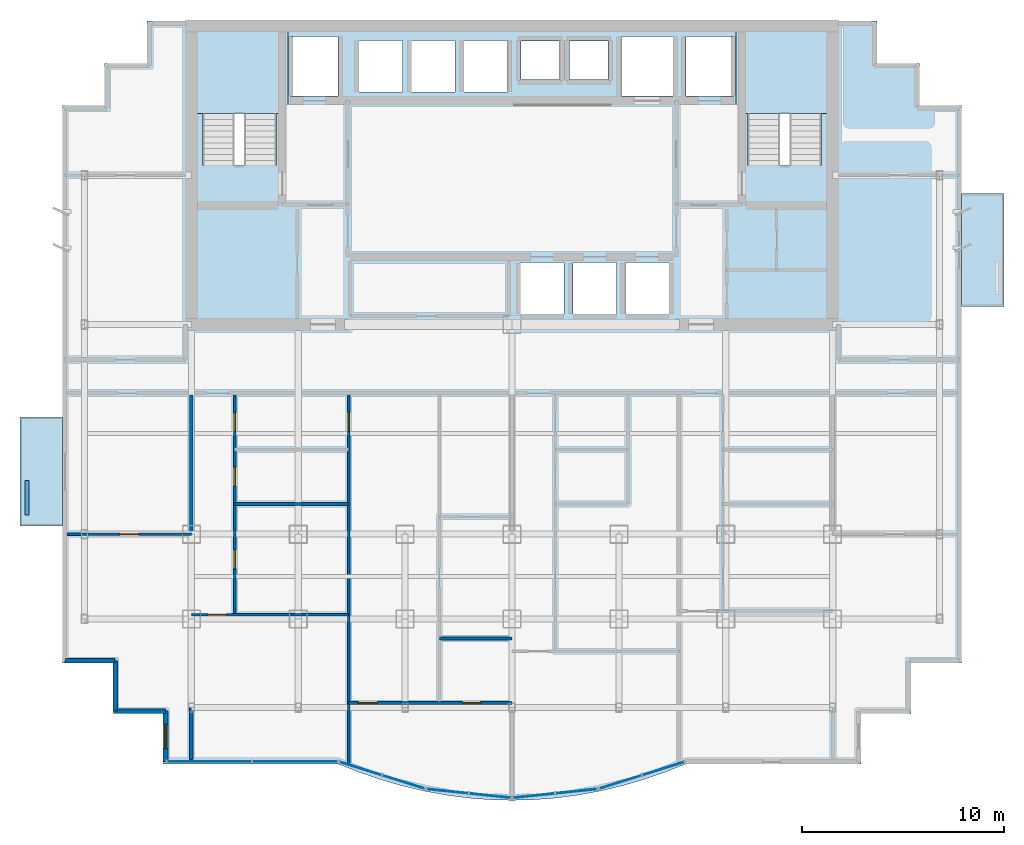
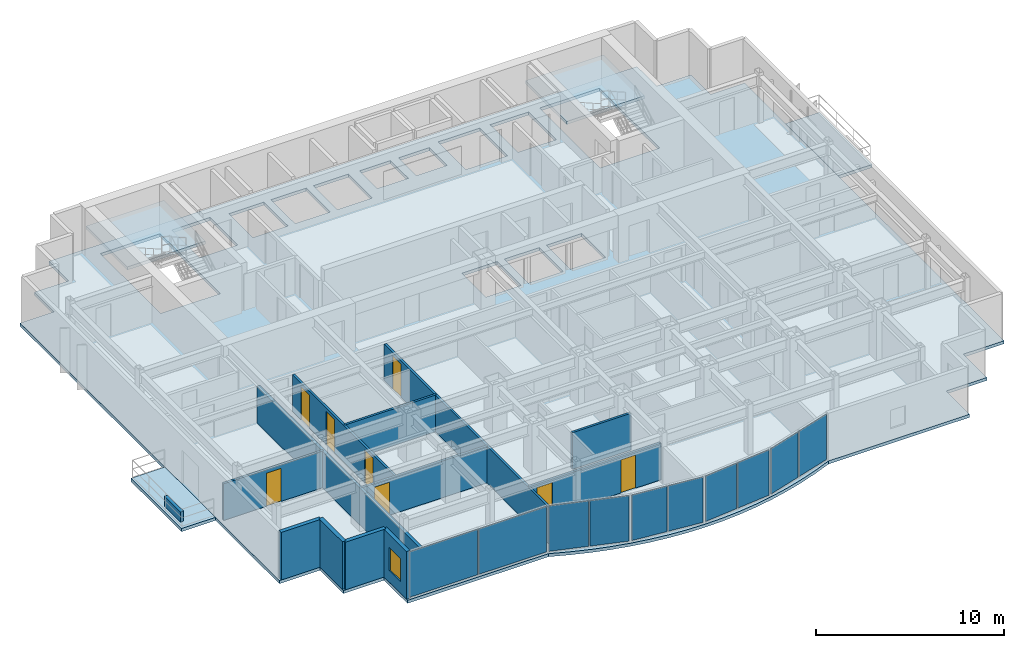
# One storey, part 5 of 11: 13 walls, 10 plates, 8 doors, 5 slabs, 1 window, 9 openings, 7 elements without a shape of their own.
"""IFC4 building model written with IfcOpenShell, lengths in metres."""

from ifc_helpers import new_model, si_unit, direction, frame, frame_2d, origin, origin_2d, place, context, subcontext, project, spatial, polyline, rectangle, outline, extrude, source, transform, mapped, material, layer, layer_set, type_object, element, fill, aggregate, save


model = new_model("IFC4")

# Units and contexts
model_context = context("Model", 3, precision=1e-05, world=origin(), true_north=direction((0.0, 1.0)))
body_context = subcontext(model_context, "Body", "Model", "MODEL_VIEW")
ifc_project = project(units=[si_unit("LENGTHUNIT", "METRE"), si_unit("AREAUNIT", "SQUARE_METRE"), si_unit("VOLUMEUNIT", "CUBIC_METRE"), si_unit("PLANEANGLEUNIT", "RADIAN"), si_unit("MASSUNIT", "GRAM", prefix="KILO")], contexts=[model_context])

# Site, building, storey
site_placement = place(None, origin())
site = spatial("IfcSite", under=ifc_project, at=site_placement, CompositionType="ELEMENT")
building_placement = place(site_placement, origin())
building = spatial("IfcBuilding", under=site, at=building_placement, Name="Qianlan Lanfeng Residences", CompositionType="ELEMENT")
storey_placement = place(building_placement, frame((0.0, 0.0, 155.699951171875)))
storey = spatial("IfcBuildingStorey", under=building, at=storey_placement, Name="L42", CompositionType="ELEMENT", Elevation=155.699951171875)

# Slabs
ifc_material_1 = material(Name="Concrete C42", Category="concrete")
ifc_layer_1 = layer(ifc_material_1, 0.199951171875)
ifc_layer_set_1 = layer_set([ifc_layer_1], Name="Concrete C42")
slab_type_1 = type_object("IfcSlabType", Name="S-BAL-200", PredefinedType="FLOOR", material=ifc_layer_set_1)
slab_1_placement = place(storey_placement, frame((0.0, 0.0, -0.199951171875)))
element("IfcSlab", 1, at=slab_1_placement, inside=storey, type_object=slab_type_1, Name="L42 Planted Tree Balcony Slab WB-S", PredefinedType="FLOOR", context=body_context, shape_type="SweptSolid", body=[
    extrude(outline(polyline([(4.199951171875, 15.199951171875), (4.199951171875, 20.60009765625), (2.10009765625, 20.60009765625), (2.10009765625, 15.199951171875), (4.199951171875, 15.199951171875)])), origin(), (0.0, 0.0, 1.0), 0.199951171875),
])
slab_2_placement = place(storey_placement, frame((0.0, 0.0, -0.199951171875)))
element("IfcSlab", 2, at=slab_2_placement, inside=storey, type_object=slab_type_1, Name="L42 Planted Tree Balcony Slab EB-N", PredefinedType="FLOOR", context=body_context, shape_type="SweptSolid", body=[
    extrude(outline(polyline([(48.800048828125, 31.699951171875), (48.800048828125, 26.10009765625), (50.89990234375, 26.10009765625), (50.89990234375, 31.699951171875), (48.800048828125, 31.699951171875)])), origin(), (0.0, 0.0, 1.0), 0.199951171875),
])
ifc_layer_2 = layer(ifc_material_1, 0.199951171875)
ifc_layer_set_2 = layer_set([ifc_layer_2], Name="Concrete C42")
slab_type_2 = type_object("IfcSlabType", Name="S-FL-200", PredefinedType="FLOOR", material=ifc_layer_set_2)
slab_3_placement = place(storey_placement, frame((0.0, 0.0, -0.199951171875)))
element("IfcSlab", 3, at=slab_3_placement, inside=storey, type_object=slab_type_2, Name="L42 Structural Floor Slab", PredefinedType="FLOOR", context=body_context, shape_type="SweptSolid", body=[
    extrude(outline(polyline([(4.199951171875, 8.39990234375), (6.699951171875, 8.39990234375), (6.699951171875, 5.89990234375), (9.199951171875, 5.89990234375), (9.199951171875, 3.39990234375), (17.8798828125, 3.39990234375), (18.95703125, 2.97802734375), (20.034912109375, 2.612060546875), (21.112060546875, 2.302978515625), (22.18994140625, 2.050048828125), (23.26708984375, 1.85302734375), (24.344970703125, 1.712890625), (25.422119140625, 1.6279296875), (26.5, 1.60009765625), (27.577880859375, 1.6279296875), (28.655029296875, 1.7119140625), (29.73193359375, 1.85302734375), (30.81005859375, 2.050048828125), (31.886962890625, 2.302978515625), (32.965087890625, 2.612060546875), (34.0419921875, 2.97802734375), (35.1201171875, 3.39990234375), (43.800048828125, 3.39990234375), (43.800048828125, 5.89990234375), (46.300048828125, 5.89990234375), (46.300048828125, 8.39990234375), (48.800048828125, 8.39990234375), (48.800048828125, 36.050048828125), (46.699951171875, 36.050048828125), (46.699951171875, 38.14990234375), (44.60009765625, 38.14990234375), (44.60009765625, 40.25), (8.39990234375, 40.25), (8.39990234375, 38.14990234375), (6.300048828125, 38.14990234375), (6.300048828125, 36.050048828125), (4.199951171875, 36.050048828125), (4.199951171875, 8.39990234375)]), holes=[polyline([(11.139892578125, 33.080078125), (11.139892578125, 39.5), (14.820068359375, 39.5), (14.820068359375, 33.080078125), (11.139892578125, 33.080078125)]), polyline([(38.179931640625, 33.080078125), (38.179931640625, 39.5), (41.860107421875, 39.5), (41.860107421875, 33.080078125), (38.179931640625, 33.080078125)]), polyline([(15.52001953125, 36.52001953125), (15.52001953125, 39.47998046875), (17.8798828125, 39.47998046875), (17.8798828125, 36.52001953125), (15.52001953125, 36.52001953125)]), polyline([(35.1201171875, 36.52001953125), (35.1201171875, 39.47998046875), (37.47998046875, 39.47998046875), (37.47998046875, 36.52001953125), (35.1201171875, 36.52001953125)]), polyline([(31.919921875, 36.52001953125), (31.919921875, 39.47998046875), (34.47998046875, 39.47998046875), (34.47998046875, 36.52001953125), (31.919921875, 36.52001953125)]), polyline([(26.919921875, 25.719970703125), (26.919921875, 28.280029296875), (29.080078125, 28.280029296875), (29.080078125, 25.719970703125), (26.919921875, 25.719970703125)]), polyline([(29.52001953125, 25.719970703125), (29.52001953125, 28.280029296875), (31.679931640625, 28.280029296875), (31.679931640625, 25.719970703125), (29.52001953125, 25.719970703125)]), polyline([(32.1201171875, 25.719970703125), (32.1201171875, 28.280029296875), (34.280029296875, 28.280029296875), (34.280029296875, 25.719970703125), (32.1201171875, 25.719970703125)]), polyline([(18.919921875, 36.719970703125), (18.919921875, 39.280029296875), (21.080078125, 39.280029296875), (21.080078125, 36.719970703125), (18.919921875, 36.719970703125)]), polyline([(21.52001953125, 36.719970703125), (21.52001953125, 39.280029296875), (23.679931640625, 39.280029296875), (23.679931640625, 36.719970703125), (21.52001953125, 36.719970703125)]), polyline([(24.1201171875, 36.719970703125), (24.1201171875, 39.280029296875), (26.280029296875, 39.280029296875), (26.280029296875, 36.719970703125), (24.1201171875, 36.719970703125)]), polyline([(26.949951171875, 37.35009765625), (26.949951171875, 39.25), (28.85009765625, 39.25), (28.85009765625, 37.35009765625), (26.949951171875, 37.35009765625)]), polyline([(29.35009765625, 37.35009765625), (29.35009765625, 39.25), (31.25, 39.25), (31.25, 37.35009765625), (29.35009765625, 37.35009765625)])]), origin(), (0.0, 0.0, 1.0), 0.199951171875),
])

# Stair, slab
stair_type = type_object("IfcStairType", Name="STR-MAIN", PredefinedType="HALF_TURN_STAIR", material=ifc_material_1)
stair_1_placement = place(storey_placement, origin())
stair_1 = element("IfcStair", 4, at=stair_1_placement, inside=storey, type_object=stair_type, Name="L42 Exit Stair ST-1", PredefinedType="HALF_TURN_STAIR")
ifc_layer_3 = layer(ifc_material_1, 0.179931640625)
ifc_layer_set_3 = layer_set([ifc_layer_3], Name="Concrete C42")
slab_type_3 = type_object("IfcSlabType", Name="S-LND-180", PredefinedType="LANDING", material=ifc_layer_set_3)
slab_4_placement = place(storey_placement, frame((0.0, 0.0, 1.449951171875)))
slab_4 = element("IfcSlab", 5, at=slab_4_placement, type_object=slab_type_3, Name="ST-1 landing 1", PredefinedType="LANDING", context=body_context, shape_type="SweptSolid", body=[
    extrude(outline(polyline([(10.580078125, 35.659912109375), (15.3798828125, 35.659912109375), (15.3798828125, 40.050048828125), (10.580078125, 40.050048828125), (10.580078125, 35.659912109375)])), origin(), (0.0, 0.0, 1.0), 0.2001953125),
])
aggregate(stair_1, [slab_4])

stair_2_placement = place(storey_placement, origin())
stair_2 = element("IfcStair", 6, at=stair_2_placement, inside=storey, type_object=stair_type, Name="L42 Exit Stair ST-2", PredefinedType="HALF_TURN_STAIR")
slab_5_placement = place(storey_placement, frame((0.0, 0.0, 1.449951171875)))
slab_5 = element("IfcSlab", 7, at=slab_5_placement, type_object=slab_type_3, Name="ST-2 landing 1", PredefinedType="LANDING", context=body_context, shape_type="SweptSolid", body=[
    extrude(outline(polyline([(37.6201171875, 35.659912109375), (42.419921875, 35.659912109375), (42.419921875, 40.050048828125), (37.6201171875, 40.050048828125), (37.6201171875, 35.659912109375)])), origin(), (0.0, 0.0, 1.0), 0.2001953125),
])
aggregate(stair_2, [slab_5])

# Curtain wall, plates
ifc_material_2 = material(Name="Anodised Bronze Aluminium 6063-T6", Category="aluminium")
ifc_layer_4 = layer(ifc_material_2, 0.219970703125)
ifc_layer_set_4 = layer_set([ifc_layer_4], Name="Anodised Bronze Aluminium 6063-T6")
curtain_wall_type = type_object("IfcCurtainWallType", Name="CW-04", PredefinedType="NOTDEFINED", material=ifc_layer_set_4)
curtain_wall_1_placement = place(storey_placement, origin())
curtain_wall_1 = element("IfcCurtainWall", 8, at=curtain_wall_1_placement, inside=storey, type_object=curtain_wall_type, Name="L42 Unitised Curtain Wall CWR-L42-01 (CW-04)", PredefinedType="NOTDEFINED")
ifc_material_3 = material(Name="Clear Low-E Insulated Glass", Category="glass")
ifc_layer_5 = layer(ifc_material_3, 0.035888671875)
ifc_layer_set_5 = layer_set([ifc_layer_5], Name="Clear Low-E Insulated Glass")
plate_type_1 = type_object("IfcPlateType", Name="PNL-GLZ-CLR", PredefinedType="CURTAIN_PANEL", material=ifc_layer_set_5)
shared_shape_1 = source(origin(), body_context, "Body", "SweptSolid", [
    extrude(rectangle(XDim=4.180908203125, YDim=0.035888671875, at=origin_2d()), origin(), (0.0, 0.0, 1.0), 2.951904296875),
])
plate_1_placement = place(storey_placement, frame((11.484619140625, 3.52001953125, 0.07421875), z_axis=(0.0, 0.0, 1.0), x_axis=(1.0, 0.0, 0.0)))
plate_1 = element("IfcPlate", 9, at=plate_1_placement, type_object=plate_type_1, Name="CWR-L42-01 Curtain Panel 1", PredefinedType="CURTAIN_PANEL", context=body_context, shape_type="MappedRepresentation", body=[
    mapped(shared_shape_1, transform((0.0, 0.0, 0.0), scale=1.0)),
])
plate_2_placement = place(storey_placement, frame((15.738525390625, 3.52001953125, 0.07421875), z_axis=(0.0, 0.0, 1.0), x_axis=(1.0, 0.0, 0.0)))
plate_2 = element("IfcPlate", 10, at=plate_2_placement, type_object=plate_type_1, Name="CWR-L42-01 Curtain Panel 2", PredefinedType="CURTAIN_PANEL", context=body_context, shape_type="MappedRepresentation", body=[
    mapped(shared_shape_1, transform((0.0, 0.0, 0.0), scale=1.0)),
])
aggregate(curtain_wall_1, [plate_1, plate_2])

curtain_wall_2_placement = place(storey_placement, origin())
curtain_wall_2 = element("IfcCurtainWall", 11, at=curtain_wall_2_placement, inside=storey, type_object=curtain_wall_type, Name="L42 Unitised Curtain Wall CWR-L42-03 (CW-04)", PredefinedType="NOTDEFINED")
shared_shape_2 = source(origin(), body_context, "Body", "SweptSolid", [
    extrude(rectangle(XDim=2.043701171875, YDim=0.035888671875, at=origin_2d()), origin(), (0.0, 0.0, 1.0), 2.951904296875),
])
plate_3_placement = place(storey_placement, frame((23.304931640625, 2.053955078125, 0.07421875), z_axis=(0.0, 0.0, 1.0), x_axis=(0.994579031105, -0.103983416397, 0.0)))
plate_3 = element("IfcPlate", 12, at=plate_3_placement, type_object=plate_type_1, Name="CWR-L42-03 Curtain Panel 1", PredefinedType="CURTAIN_PANEL", context=body_context, shape_type="MappedRepresentation", body=[
    mapped(shared_shape_2, transform((0.0, 0.0, 0.0), scale=1.0)),
])
plate_4_placement = place(storey_placement, frame((25.41015625, 1.833984375, 0.07421875), z_axis=(0.0, 0.0, 1.0), x_axis=(0.994579031105, -0.103983416397, 0.0)))
plate_4 = element("IfcPlate", 13, at=plate_4_placement, type_object=plate_type_1, Name="CWR-L42-03 Curtain Panel 2", PredefinedType="CURTAIN_PANEL", context=body_context, shape_type="MappedRepresentation", body=[
    mapped(shared_shape_2, transform((0.0, 0.0, 0.0), scale=1.0)),
])
aggregate(curtain_wall_2, [plate_3, plate_4])

# Curtain wall, plate
curtain_wall_3_placement = place(storey_placement, origin())
curtain_wall_3 = element("IfcCurtainWall", 14, at=curtain_wall_3_placement, inside=storey, type_object=curtain_wall_type, Name="L42 Unitised Curtain Wall CWR-L42-04 (CW-04)", PredefinedType="NOTDEFINED")
plate_5_placement = place(storey_placement, frame((27.58984375, 1.833984375, 0.07421875), z_axis=(0.0, 0.0, 1.0), x_axis=(0.994579031105, 0.103983416397, 0.0)))
plate_5 = element("IfcPlate", 15, at=plate_5_placement, type_object=plate_type_1, Name="CWR-L42-04 Curtain Panel 1", PredefinedType="CURTAIN_PANEL", context=body_context, shape_type="MappedRepresentation", body=[
    mapped(shared_shape_2, transform((0.0, 0.0, 0.0), scale=1.0)),
])

curtain_wall_4_placement = place(storey_placement, origin())
curtain_wall_4 = element("IfcCurtainWall", 16, at=curtain_wall_4_placement, inside=storey, type_object=curtain_wall_type, Name="L42 Unitised Curtain Wall CWR-L42-02 (CW-04)", PredefinedType="NOTDEFINED")
shared_shape_3 = source(origin(), body_context, "Body", "SweptSolid", [
    extrude(rectangle(XDim=2.14892578125, YDim=0.035888671875, at=origin_2d()), origin(), (0.0, 0.0, 1.0), 2.951904296875),
])
plate_6_placement = place(storey_placement, frame((18.998779296875, 3.176513671875, 0.07421875), z_axis=(0.0, 0.0, 1.0), x_axis=(0.954195954421, -0.299182353367, 0.0)))
plate_6 = element("IfcPlate", 17, at=plate_6_placement, type_object=plate_type_1, Name="CWR-L42-02 Curtain Panel 1", PredefinedType="CURTAIN_PANEL", context=body_context, shape_type="MappedRepresentation", body=[
    mapped(shared_shape_3, transform((0.0, 0.0, 0.0), scale=1.0)),
])

# Curtain wall, plates
curtain_wall_5_placement = place(storey_placement, origin())
curtain_wall_5 = element("IfcCurtainWall", 18, at=curtain_wall_5_placement, inside=storey, type_object=curtain_wall_type, Name="L42 Unitised Curtain Wall CWR-L42-05 (CW-04)", PredefinedType="NOTDEFINED")
plate_7_placement = place(storey_placement, frame((31.880859375, 2.51171875, 0.07421875), z_axis=(0.0, 0.0, 1.0), x_axis=(0.954195954421, 0.299182353367, 0.0)))
plate_7 = element("IfcPlate", 19, at=plate_7_placement, type_object=plate_type_1, Name="CWR-L42-05 Curtain Panel 1", PredefinedType="CURTAIN_PANEL", context=body_context, shape_type="MappedRepresentation", body=[
    mapped(shared_shape_3, transform((0.0, 0.0, 0.0), scale=1.0)),
])
plate_8_placement = place(storey_placement, frame((34.001220703125, 3.176513671875, 0.07421875), z_axis=(0.0, 0.0, 1.0), x_axis=(0.954195954421, 0.299182353367, 0.0)))
plate_8 = element("IfcPlate", 20, at=plate_8_placement, type_object=plate_type_1, Name="CWR-L42-05 Curtain Panel 2", PredefinedType="CURTAIN_PANEL", context=body_context, shape_type="MappedRepresentation", body=[
    mapped(shared_shape_3, transform((0.0, 0.0, 0.0), scale=1.0)),
])
aggregate(curtain_wall_5, [plate_7, plate_8])

# Plate
ifc_material_4 = material(Name="Perforated Champagne Gold Aluminium Panel", Category="aluminium")
ifc_layer_6 = layer(ifc_material_4, 0.0400390625)
ifc_layer_set_6 = layer_set([ifc_layer_6], Name="Perforated Champagne Gold Aluminium Panel")
plate_type_2 = type_object("IfcPlateType", Name="PNL-PRF-GLD", PredefinedType="CURTAIN_PANEL", material=ifc_layer_set_6)
shared_shape_4 = source(origin(), body_context, "Body", "SweptSolid", [
    extrude(rectangle(XDim=2.14892578125, YDim=0.0400390625, at=origin_2d()), origin(), (0.0, 0.0, 1.0), 2.951904296875),
])
plate_9_placement = place(storey_placement, frame((21.119140625, 2.51171875, 0.07421875), z_axis=(0.0, 0.0, 1.0), x_axis=(0.954195954421, -0.299182353367, 0.0)))
plate_9 = element("IfcPlate", 21, at=plate_9_placement, type_object=plate_type_2, Name="CWR-L42-02 Curtain Panel 2", PredefinedType="CURTAIN_PANEL", context=body_context, shape_type="MappedRepresentation", body=[
    mapped(shared_shape_4, transform((0.0, 0.0, 0.0), scale=1.0)),
])

aggregate(curtain_wall_4, [plate_6, plate_9])

shared_shape_5 = source(origin(), body_context, "Body", "SweptSolid", [
    extrude(rectangle(XDim=2.043701171875, YDim=0.0400390625, at=origin_2d()), origin(), (0.0, 0.0, 1.0), 2.951904296875),
])
plate_10_placement = place(storey_placement, frame((29.695068359375, 2.05419921875, 0.07421875), z_axis=(0.0, 0.0, 1.0), x_axis=(0.994579031105, 0.103983416397, 0.0)))
plate_10 = element("IfcPlate", 22, at=plate_10_placement, type_object=plate_type_2, Name="CWR-L42-04 Curtain Panel 2", PredefinedType="CURTAIN_PANEL", context=body_context, shape_type="MappedRepresentation", body=[
    mapped(shared_shape_5, transform((0.0, 0.0, 0.0), scale=1.0)),
])

aggregate(curtain_wall_3, [plate_5, plate_10])

# Walls
ifc_layer_7 = layer(ifc_material_1, 0.239990234375)
ifc_layer_set_7 = layer_set([ifc_layer_7], Name="Concrete C42")
wall_type_1 = type_object("IfcWallType", Name="EW-240", PredefinedType="SOLIDWALL", material=ifc_layer_set_7)
for number, where, z_axis, x_axis, name in (
    (23, (4.320068359375, 8.52001953125, 0.0), (0.0, 0.0, 1.0), (1.0, 0.0, 0.0), "L42 Exterior Facade Spandrel Wall 1"),
    (24, (6.820068359375, 8.52001953125, 0.0), (0.0, 0.0, 1.0), (0.0, -1.0, 0.0), "L42 Exterior Facade Spandrel Wall 2"),
    (25, (6.820068359375, 6.02001953125, 0.0), (0.0, 0.0, 1.0), (1.0, 0.0, 0.0), "L42 Exterior Facade Spandrel Wall 3"),
):
    element("IfcWall", number, at=place(storey_placement, frame(where, z_axis=z_axis, x_axis=x_axis)), inside=storey, type_object=wall_type_1, Name=name, PredefinedType="SOLIDWALL", context=body_context, shape_type="SweptSolid", body=[
        extrude(rectangle(XDim=2.5, YDim=0.239990234375, at=frame_2d((1.25, 0.0))), origin(), (0.0, 0.0, 1.0), 3.10009765625),
    ])

# Wall, opening, window
wall_1_placement = place(storey_placement, frame((9.320068359375, 6.02001953125, 0.0), z_axis=(0.0, 0.0, 1.0), x_axis=(0.0, -1.0, 0.0)))
wall_1 = element("IfcWall", 26, at=wall_1_placement, inside=storey, type_object=wall_type_1, Name="L42 Exterior Facade Spandrel Wall 4", PredefinedType="SOLIDWALL", context=body_context, shape_type="SweptSolid", body=[
    extrude(rectangle(XDim=2.5, YDim=0.239990234375, at=frame_2d((1.25, 0.0))), origin(), (0.0, 0.0, 1.0), 3.10009765625),
])
opening_1_placement = place(wall_1_placement, frame((0.64990234375, 0.0, 0.75)))
opening_1 = element("IfcOpeningElement", 27, at=opening_1_placement, cuts=wall_1, Name="Opening W-03", PredefinedType="OPENING", context=body_context, shape_type="SweptSolid", body=[
    extrude(rectangle(XDim=1.199951171875, YDim=1.5, at=frame_2d((0.60009765625, 0.75))), frame((0.0, 0.1298828125, 0.0), z_axis=(0.0, -1.0, 0.0), x_axis=(1.0, 0.0, 0.0)), (0.0, 0.0, 1.0), 0.260009765625),
])
ifc_material_5 = material(Name="Anodised Bronze Aluminium Framed Double Glazing", Category="aluminium")
window_type = type_object("IfcWindowType", Name="W-03", PartitioningType="SINGLE_PANEL", PredefinedType="WINDOW", material=ifc_material_5)
window_placement = place(opening_1_placement, origin())
window = element("IfcWindow", 28, at=window_placement, inside=storey, type_object=window_type, Name="L42 Facade Punched Window W-03", OverallHeight=1.5, OverallWidth=1.199951171875, PartitioningType="SINGLE_PANEL", PredefinedType="WINDOW", context=body_context, shape_type="SweptSolid", body=[
    extrude(rectangle(XDim=1.199951171875, YDim=1.5, at=frame_2d((0.60009765625, 0.75))), frame((0.0, 0.030029296875, 0.0), z_axis=(0.0, -1.0, 0.0), x_axis=(1.0, 0.0, 0.0)), (0.0, 0.0, 1.0), 0.06005859375),
])
fill(opening_1, window)

# Wall
ifc_layer_8 = layer(ifc_material_1, 0.199951171875)
ifc_layer_set_8 = layer_set([ifc_layer_8], Name="Concrete C42")
wall_type_2 = type_object("IfcWallType", Name="PL-TREE-200", PredefinedType="PARAPET", material=ifc_layer_set_8)
wall_2_placement = place(storey_placement, frame((2.449951171875, 15.75, 0.0), z_axis=(0.0, 0.0, 1.0), x_axis=(0.0, 1.0, 0.0)))
element("IfcWall", 29, at=wall_2_placement, inside=storey, type_object=wall_type_2, Name="L42 West Tree Planter Curb WB-S", PredefinedType="PARAPET", context=body_context, shape_type="SweptSolid", body=[
    extrude(rectangle(XDim=1.699951171875, YDim=0.199951171875, at=frame_2d((0.85009765625, 0.0))), origin(), (0.0, 0.0, 1.0), 0.650146484375),
])

# Wall, opening, door
ifc_material_6 = material(Name="Moisture-Resistant Gypsum Partition 135 mm")
ifc_layer_9 = layer(ifc_material_6, 0.135009765625)
ifc_layer_set_9 = layer_set([ifc_layer_9], Name="Moisture-Resistant Gypsum Partition 135 mm")
wall_type_3 = type_object("IfcWallType", Name="PW-135", PredefinedType="PARTITIONING", material=ifc_layer_set_9)
wall_3_placement = place(storey_placement, frame((18.39990234375, 3.43310546875, 0.0), z_axis=(0.0, 0.0, 1.0), x_axis=(0.0, 1.0, 0.0)))
wall_3 = element("IfcWall", 30, at=wall_3_placement, inside=storey, type_object=wall_type_3, Name="L42 U01 Bay Spine Wall 1", PredefinedType="PARTITIONING", context=body_context, shape_type="SweptSolid", body=[
    extrude(rectangle(XDim=18.266845703125, YDim=0.135009765625, at=frame_2d((9.13330078125, 0.0))), origin(), (0.0, 0.0, 1.0), 2.380126953125),
])
opening_2_placement = place(wall_3_placement, frame((16.48193359375, 0.0, 0.0)))
opening_2 = element("IfcOpeningElement", 31, at=opening_2_placement, cuts=wall_3, Name="Opening L42-D17", PredefinedType="OPENING", context=body_context, shape_type="SweptSolid", body=[
    extrude(rectangle(XDim=0.919921875, YDim=2.14990234375, at=frame_2d((0.4599609375, 1.074951171875))), frame((0.0, 0.07763671875, 0.0), z_axis=(0.0, -1.0, 0.0), x_axis=(1.0, 0.0, 0.0)), (0.0, 0.0, 1.0), 0.155029296875),
])
ifc_material_7 = material(Name="Glazed Timber Kitchen/Study Door", Category="wood")
door_type_1 = type_object("IfcDoorType", Name="DT-INT", OperationType="NOTDEFINED", PredefinedType="DOOR", material=ifc_material_7)
door_1_placement = place(opening_2_placement, origin())
door_1 = element("IfcDoor", 32, at=door_1_placement, inside=storey, type_object=door_type_1, Name="L42 U01 Internal Hall Door L42-D17 (DT-INT)", OperationType="SINGLE_SWING_LEFT", OverallHeight=2.14990234375, OverallWidth=0.919921875, PredefinedType="DOOR", context=body_context, shape_type="SweptSolid", body=[
    extrude(rectangle(XDim=0.919921875, YDim=2.14990234375, at=frame_2d((0.4599609375, 1.074951171875))), frame((0.0, 0.02490234375, 0.0), z_axis=(0.0, -1.0, 0.0), x_axis=(1.0, 0.0, 0.0)), (0.0, 0.0, 1.0), 0.050048828125),
])
fill(opening_2, door_1)

wall_4_placement = place(storey_placement, frame((10.60009765625, 10.799072265625, 0.0), z_axis=(0.0, 0.0, 1.0), x_axis=(1.0, 0.0, 0.0)))
wall_4 = element("IfcWall", 33, at=wall_4_placement, inside=storey, type_object=wall_type_3, Name="L42 U01 Living Divider", PredefinedType="PARTITIONING", context=body_context, shape_type="SweptSolid", body=[
    extrude(rectangle(XDim=7.7998046875, YDim=0.135009765625, at=frame_2d((3.89990234375, 0.0))), origin(), (0.0, 0.0, 1.0), 2.380126953125),
])
opening_3_placement = place(wall_4_placement, frame((0.81494140625, 0.0, 0.0)))
opening_3 = element("IfcOpeningElement", 34, at=opening_3_placement, cuts=wall_4, Name="Opening L42-D18", PredefinedType="OPENING", context=body_context, shape_type="SweptSolid", body=[
    extrude(rectangle(XDim=0.919921875, YDim=2.14990234375, at=frame_2d((0.4599609375, 1.074951171875))), frame((0.0, 0.07763671875, 0.0), z_axis=(0.0, -1.0, 0.0), x_axis=(1.0, 0.0, 0.0)), (0.0, 0.0, 1.0), 0.155029296875),
])
door_2_placement = place(opening_3_placement, origin())
door_2 = element("IfcDoor", 35, at=door_2_placement, inside=storey, type_object=door_type_1, Name="L42 U01 Living Passage Door L42-D18 (DT-INT)", OperationType="SINGLE_SWING_LEFT", OverallHeight=2.14990234375, OverallWidth=0.919921875, PredefinedType="DOOR", context=body_context, shape_type="SweptSolid", body=[
    extrude(rectangle(XDim=0.919921875, YDim=2.14990234375, at=frame_2d((0.4599609375, 1.074951171875))), frame((0.0, 0.02490234375, 0.0), z_axis=(0.0, -1.0, 0.0), x_axis=(1.0, 0.0, 0.0)), (0.0, 0.0, 1.0), 0.050048828125),
])
fill(opening_3, door_2)

# Wall, openings, doors
wall_5_placement = place(storey_placement, frame((12.75, 10.799072265625, 0.0), z_axis=(0.0, 0.0, 1.0), x_axis=(0.0, 1.0, 0.0)))
wall_5 = element("IfcWall", 36, at=wall_5_placement, inside=storey, type_object=wall_type_3, Name="L42 U01 Entry Hall Spine", PredefinedType="PARTITIONING", context=body_context, shape_type="SweptSolid", body=[
    extrude(rectangle(XDim=10.90087890625, YDim=0.135009765625, at=frame_2d((5.450439453125, 0.0))), origin(), (0.0, 0.0, 1.0), 2.380126953125),
])
opening_4_placement = place(wall_5_placement, frame((2.291015625, 0.0, 0.0)))
opening_4 = element("IfcOpeningElement", 37, at=opening_4_placement, cuts=wall_5, Name="Opening L42-D19", PredefinedType="OPENING", context=body_context, shape_type="SweptSolid", body=[
    extrude(rectangle(XDim=0.919921875, YDim=2.14990234375, at=frame_2d((0.4599609375, 1.074951171875))), frame((0.0, 0.07763671875, 0.0), z_axis=(0.0, -1.0, 0.0), x_axis=(1.0, 0.0, 0.0)), (0.0, 0.0, 1.0), 0.155029296875),
])
opening_5_placement = place(wall_5_placement, frame((6.39111328125, 0.0, 0.0)))
opening_5 = element("IfcOpeningElement", 38, at=opening_5_placement, cuts=wall_5, Name="Opening L42-D20", PredefinedType="OPENING", context=body_context, shape_type="SweptSolid", body=[
    extrude(rectangle(XDim=0.919921875, YDim=2.14990234375, at=frame_2d((0.4599609375, 1.074951171875))), frame((0.0, 0.07763671875, 0.0), z_axis=(0.0, -1.0, 0.0), x_axis=(1.0, 0.0, 0.0)), (0.0, 0.0, 1.0), 0.155029296875),
])
opening_6_placement = place(wall_5_placement, frame((9.10107421875, 0.0, 0.0)))
opening_6 = element("IfcOpeningElement", 39, at=opening_6_placement, cuts=wall_5, Name="Opening L42-D21", PredefinedType="OPENING", context=body_context, shape_type="SweptSolid", body=[
    extrude(rectangle(XDim=0.89990234375, YDim=2.14990234375, at=frame_2d((0.449951171875, 1.074951171875))), frame((0.0, 0.07763671875, 0.0), z_axis=(0.0, -1.0, 0.0), x_axis=(1.0, 0.0, 0.0)), (0.0, 0.0, 1.0), 0.155029296875),
])
door_3_placement = place(opening_4_placement, origin())
door_3 = element("IfcDoor", 40, at=door_3_placement, inside=storey, type_object=door_type_1, Name="L42 U01 Study Door L42-D19 (DT-INT)", OperationType="SINGLE_SWING_LEFT", OverallHeight=2.14990234375, OverallWidth=0.919921875, PredefinedType="DOOR", context=body_context, shape_type="SweptSolid", body=[
    extrude(rectangle(XDim=0.919921875, YDim=2.14990234375, at=frame_2d((0.4599609375, 1.074951171875))), frame((0.0, 0.02490234375, 0.0), z_axis=(0.0, -1.0, 0.0), x_axis=(1.0, 0.0, 0.0)), (0.0, 0.0, 1.0), 0.050048828125),
])
fill(opening_4, door_3)
door_4_placement = place(opening_5_placement, origin())
door_4 = element("IfcDoor", 41, at=door_4_placement, inside=storey, type_object=door_type_1, Name="L42 U01 Kitchen Door L42-D20 (DT-INT)", OperationType="SINGLE_SWING_RIGHT", OverallHeight=2.14990234375, OverallWidth=0.919921875, PredefinedType="DOOR", context=body_context, shape_type="SweptSolid", body=[
    extrude(rectangle(XDim=0.919921875, YDim=2.14990234375, at=frame_2d((0.4599609375, 1.074951171875))), frame((0.0, 0.02490234375, 0.0), z_axis=(0.0, -1.0, 0.0), x_axis=(1.0, 0.0, 0.0)), (0.0, 0.0, 1.0), 0.050048828125),
])
fill(opening_5, door_4)
ifc_material_8 = material(Name="Moisture-Resistant Timber Leaf", Category="wood")
door_type_2 = type_object("IfcDoorType", Name="DT-WC", OperationType="NOTDEFINED", PredefinedType="DOOR", material=ifc_material_8)
door_5_placement = place(opening_6_placement, origin())
door_5 = element("IfcDoor", 42, at=door_5_placement, inside=storey, type_object=door_type_2, Name="L42 U01 Bathroom Door L42-D21 (DT-WC)", OperationType="SINGLE_SWING_LEFT", OverallHeight=2.14990234375, OverallWidth=0.89990234375, PredefinedType="DOOR", context=body_context, shape_type="SweptSolid", body=[
    extrude(rectangle(XDim=0.89990234375, YDim=2.14990234375, at=frame_2d((0.449951171875, 1.074951171875))), frame((0.0, 0.02490234375, 0.0), z_axis=(0.0, -1.0, 0.0), x_axis=(1.0, 0.0, 0.0)), (0.0, 0.0, 1.0), 0.050048828125),
])
fill(opening_6, door_5)

# Wall
wall_6_placement = place(storey_placement, frame((12.75, 16.300048828125, 0.0), z_axis=(0.0, 0.0, 1.0), x_axis=(1.0, 0.0, 0.0)))
element("IfcWall", 43, at=wall_6_placement, inside=storey, type_object=wall_type_3, Name="L42 U01 Kitchen South Wall", PredefinedType="PARTITIONING", context=body_context, shape_type="SweptSolid", body=[
    extrude(rectangle(XDim=5.64990234375, YDim=0.135009765625, at=frame_2d((2.824951171875, 0.0))), origin(), (0.0, 0.0, 1.0), 2.380126953125),
])

# Wall, openings, doors
wall_7_placement = place(storey_placement, frame((18.39990234375, 6.424072265625, 0.0), z_axis=(0.0, 0.0, 1.0), x_axis=(1.0, 0.0, 0.0)))
wall_7 = element("IfcWall", 44, at=wall_7_placement, inside=storey, type_object=wall_type_3, Name="L42 U01 Master Bedroom North Wall", PredefinedType="PARTITIONING", context=body_context, shape_type="SweptSolid", body=[
    extrude(rectangle(XDim=8.10009765625, YDim=0.135009765625, at=frame_2d((4.050048828125, 0.0))), origin(), (0.0, 0.0, 1.0), 2.380126953125),
])
opening_7_placement = place(wall_7_placement, frame((0.47509765625, 0.0, 0.0)))
opening_7 = element("IfcOpeningElement", 45, at=opening_7_placement, cuts=wall_7, Name="Opening L42-D22", PredefinedType="OPENING", context=body_context, shape_type="SweptSolid", body=[
    extrude(rectangle(XDim=0.949951171875, YDim=2.14990234375, at=frame_2d((0.47509765625, 1.074951171875))), frame((0.0, 0.07763671875, 0.0), z_axis=(0.0, -1.0, 0.0), x_axis=(1.0, 0.0, 0.0)), (0.0, 0.0, 1.0), 0.155029296875),
])
opening_8_placement = place(wall_7_placement, frame((5.64990234375, 0.0, 0.0)))
opening_8 = element("IfcOpeningElement", 46, at=opening_8_placement, cuts=wall_7, Name="Opening L42-D23", PredefinedType="OPENING", context=body_context, shape_type="SweptSolid", body=[
    extrude(rectangle(XDim=0.89990234375, YDim=2.14990234375, at=frame_2d((0.449951171875, 1.074951171875))), frame((0.0, 0.07763671875, 0.0), z_axis=(0.0, -1.0, 0.0), x_axis=(1.0, 0.0, 0.0)), (0.0, 0.0, 1.0), 0.155029296875),
])
ifc_material_9 = material(Name="Painted Solid-Core Timber Leaf", Category="wood")
door_type_3 = type_object("IfcDoorType", Name="DT-BED", OperationType="NOTDEFINED", PredefinedType="DOOR", material=ifc_material_9)
door_6_placement = place(opening_7_placement, origin())
door_6 = element("IfcDoor", 47, at=door_6_placement, inside=storey, type_object=door_type_3, Name="L42 U01 Master Bedroom Door L42-D22 (DT-BED)", OperationType="SINGLE_SWING_RIGHT", OverallHeight=2.14990234375, OverallWidth=0.949951171875, PredefinedType="DOOR", context=body_context, shape_type="SweptSolid", body=[
    extrude(rectangle(XDim=0.949951171875, YDim=2.14990234375, at=frame_2d((0.47509765625, 1.074951171875))), frame((0.0, 0.02490234375, 0.0), z_axis=(0.0, -1.0, 0.0), x_axis=(1.0, 0.0, 0.0)), (0.0, 0.0, 1.0), 0.050048828125),
])
fill(opening_7, door_6)
door_7_placement = place(opening_8_placement, origin())
door_7 = element("IfcDoor", 48, at=door_7_placement, inside=storey, type_object=door_type_2, Name="L42 U01 En-Suite Bathroom Door L42-D23 (DT-WC)", OperationType="SINGLE_SWING_LEFT", OverallHeight=2.14990234375, OverallWidth=0.89990234375, PredefinedType="DOOR", context=body_context, shape_type="SweptSolid", body=[
    extrude(rectangle(XDim=0.89990234375, YDim=2.14990234375, at=frame_2d((0.449951171875, 1.074951171875))), frame((0.0, 0.02490234375, 0.0), z_axis=(0.0, -1.0, 0.0), x_axis=(1.0, 0.0, 0.0)), (0.0, 0.0, 1.0), 0.050048828125),
])
fill(opening_8, door_7)

# Wall
wall_8_placement = place(storey_placement, frame((22.89990234375, 9.6240234375, 0.0), z_axis=(0.0, 0.0, 1.0), x_axis=(1.0, 0.0, 0.0)))
element("IfcWall", 49, at=wall_8_placement, inside=storey, type_object=wall_type_3, Name="L42 U01 En-Suite North Wall", PredefinedType="PARTITIONING", context=body_context, shape_type="SweptSolid", body=[
    extrude(rectangle(XDim=3.60009765625, YDim=0.135009765625, at=frame_2d((1.800048828125, 0.0))), origin(), (0.0, 0.0, 1.0), 2.380126953125),
])

# Wall, opening, door
wall_9_placement = place(storey_placement, frame((4.419921875, 14.800048828125, 0.0), z_axis=(0.0, 0.0, 1.0), x_axis=(1.0, 0.0, 0.0)))
wall_9 = element("IfcWall", 50, at=wall_9_placement, inside=storey, type_object=wall_type_3, Name="L42 SWP Mid Partition", PredefinedType="PARTITIONING", context=body_context, shape_type="SweptSolid", body=[
    extrude(rectangle(XDim=6.18017578125, YDim=0.135009765625, at=frame_2d((3.090087890625, 0.0))), origin(), (0.0, 0.0, 1.0), 2.380126953125),
])
opening_9_placement = place(wall_9_placement, frame((2.6298828125, 0.0, 0.0)))
opening_9 = element("IfcOpeningElement", 51, at=opening_9_placement, cuts=wall_9, Name="Opening L42-D36", PredefinedType="OPENING", context=body_context, shape_type="SweptSolid", body=[
    extrude(rectangle(XDim=0.919921875, YDim=2.14990234375, at=frame_2d((0.4599609375, 1.074951171875))), frame((0.0, 0.07763671875, 0.0), z_axis=(0.0, -1.0, 0.0), x_axis=(1.0, 0.0, 0.0)), (0.0, 0.0, 1.0), 0.155029296875),
])
door_8_placement = place(opening_9_placement, origin())
door_8 = element("IfcDoor", 52, at=door_8_placement, inside=storey, type_object=door_type_1, Name="L42 SWP Inner Door L42-D36 (DT-INT)", OperationType="SINGLE_SWING_RIGHT", OverallHeight=2.14990234375, OverallWidth=0.919921875, PredefinedType="DOOR", context=body_context, shape_type="SweptSolid", body=[
    extrude(rectangle(XDim=0.919921875, YDim=2.14990234375, at=frame_2d((0.4599609375, 1.074951171875))), frame((0.0, 0.02490234375, 0.0), z_axis=(0.0, -1.0, 0.0), x_axis=(1.0, 0.0, 0.0)), (0.0, 0.0, 1.0), 0.050048828125),
])
fill(opening_9, door_8)

# Wall
ifc_material_10 = material(Name="Double-Layer Acoustic Gypsum Stud Wall 180 mm")
ifc_layer_10 = layer(ifc_material_10, 0.179931640625)
ifc_layer_set_10 = layer_set([ifc_layer_10], Name="Double-Layer Acoustic Gypsum Stud Wall 180 mm")
wall_type_4 = type_object("IfcWallType", Name="PW-180", PredefinedType="PARTITIONING", material=ifc_layer_set_10)
wall_10_placement = place(storey_placement, frame((10.60009765625, 3.6201171875, 0.0), z_axis=(0.0, 0.0, 1.0), x_axis=(0.0, 1.0, 0.0)))
element("IfcWall", 53, at=wall_10_placement, inside=storey, type_object=wall_type_4, Name="L42 Wing Boundary Party Wall W0", PredefinedType="PARTITIONING", context=body_context, shape_type="SweptSolid", body=[
    extrude(rectangle(XDim=18.079833984375, YDim=0.179931640625, at=frame_2d((9.0400390625, 0.0))), origin(), (0.0, 0.0, 1.0), 2.380126953125),
])

save(model, "model.ifc")
